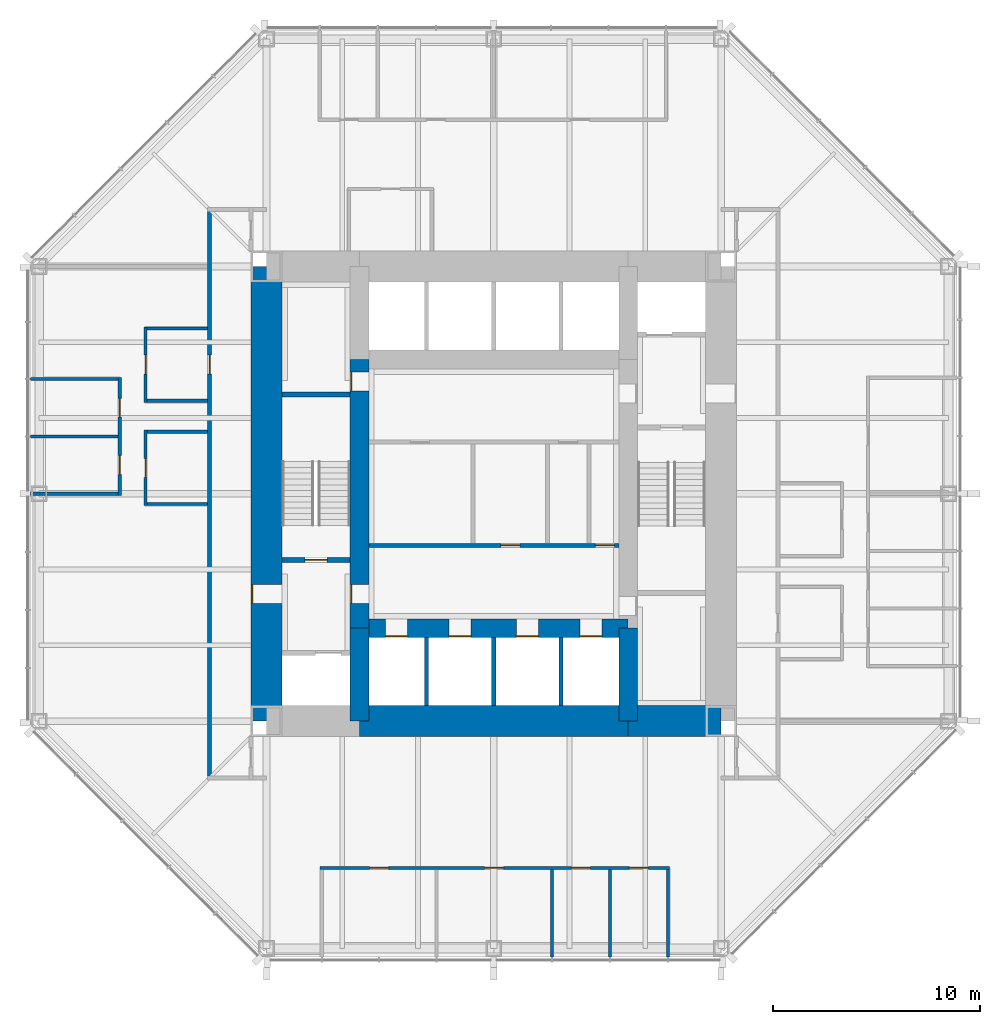
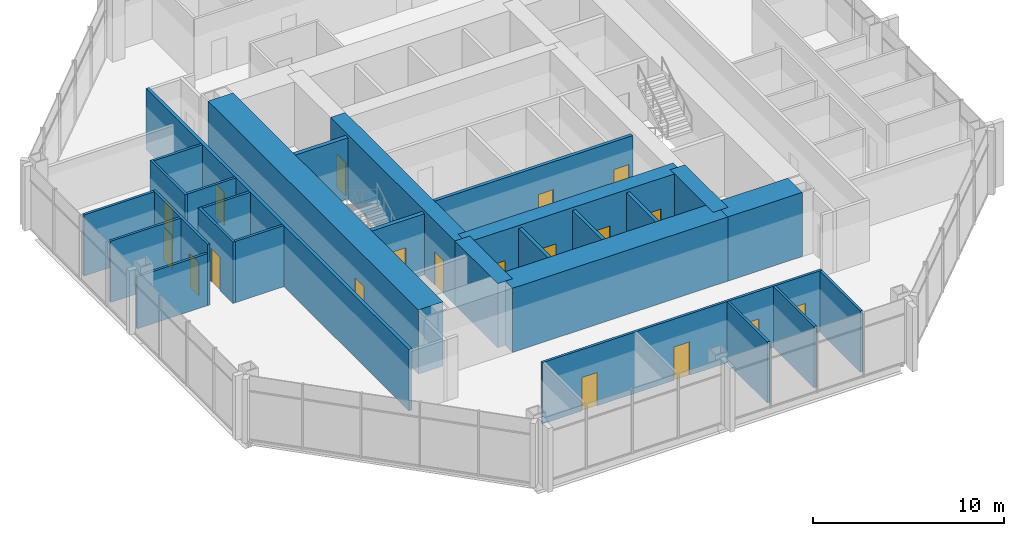
# One storey, part 9 of 12: 28 walls, 19 doors, 19 openings.
"""IFC4 building model written with IfcOpenShell, lengths in metres."""

from ifc_helpers import new_model, si_unit, direction, frame, frame_2d, origin, place, context, subcontext, project, spatial, rectangle, extrude, material, layer, layer_set, type_object, element, fill, save


model = new_model("IFC4")

# Units and contexts
model_context = context("Model", 3, precision=1e-05, world=origin(), true_north=direction((0.0, 1.0)))
body_context = subcontext(model_context, "Body", "Model", "MODEL_VIEW")
ifc_project = project(units=[si_unit("LENGTHUNIT", "METRE"), si_unit("AREAUNIT", "SQUARE_METRE"), si_unit("VOLUMEUNIT", "CUBIC_METRE"), si_unit("PLANEANGLEUNIT", "RADIAN"), si_unit("MASSUNIT", "GRAM", prefix="KILO")], contexts=[model_context])

# Site, building, storey
site_placement = place(None, origin())
site = spatial("IfcSite", under=ifc_project, at=site_placement, CompositionType="ELEMENT")
building_placement = place(site_placement, origin())
building = spatial("IfcBuilding", under=site, at=building_placement, Name="Trevanion Tower", CompositionType="ELEMENT")
storey_placement = place(building_placement, frame((0.0, 0.0, 145.89990234375)))
storey = spatial("IfcBuildingStorey", under=building, at=storey_placement, Name="L34", CompositionType="ELEMENT", Elevation=145.89990234375)

# Wall, opening, door
ifc_material_1 = material(Name="Concrete 10,000 psi", Category="concrete")
ifc_layer_1 = layer(ifc_material_1, 1.5)
ifc_layer_set_1 = layer_set([ifc_layer_1], Name="CW1 core wall 1500")
wall_type_1 = type_object("IfcWallType", Name="CW1 core wall 1500", PredefinedType="SHEAR", material=ifc_layer_set_1)
wall_1_placement = place(storey_placement, frame((-11.0, 11.0, 0.0), z_axis=(0.0, 0.0, 1.0), x_axis=(0.0, -1.0, 0.0)))
wall_1 = element("IfcWall", 1, at=wall_1_placement, inside=storey, type_object=wall_type_1, Name="CW1 CW L34", PredefinedType="SHEAR", context=body_context, shape_type="SweptSolid", body=[
    extrude(rectangle(XDim=22.0, YDim=1.5, at=frame_2d((11.0, 0.0))), origin(), (0.0, 0.0, 1.0), 4.10009765625),
])
opening_1_placement = place(wall_1_placement, frame((15.392578125, 0.0, 0.0)))
opening_1 = element("IfcOpeningElement", 2, at=opening_1_placement, cuts=wall_1, Name="Opening 34-002", PredefinedType="OPENING", context=body_context, shape_type="SweptSolid", body=[
    extrude(rectangle(XDim=0.9150390625, YDim=2.134033203125, at=frame_2d((0.45751953125, 1.06689453125))), frame((0.0, 0.760009765625, 0.0), z_axis=(0.0, -1.0, 0.0), x_axis=(1.0, 0.0, 0.0)), (0.0, 0.0, 1.0), 1.52001953125),
])
ifc_material_2 = material(Name="Hollow metal, fire rated", Category="steel")
door_type_1 = type_object("IfcDoorType", Name="D3 fire lift lobby door", OperationType="SINGLE_SWING_RIGHT", PredefinedType="DOOR", material=ifc_material_2)
door_1_placement = place(opening_1_placement, origin())
door_1 = element("IfcDoor", 3, at=door_1_placement, inside=storey, type_object=door_type_1, Name="Door 34-002", OperationType="SINGLE_SWING_RIGHT", OverallHeight=2.134033203125, OverallWidth=0.9150390625, PredefinedType="DOOR", context=body_context, shape_type="SweptSolid", body=[
    extrude(rectangle(XDim=0.9150390625, YDim=2.134033203125, at=frame_2d((0.45751953125, 1.06689453125))), frame((0.0, -0.6748046875, 0.0), z_axis=(0.0, -1.0, 0.0), x_axis=(1.0, 0.0, 0.0)), (0.0, 0.0, 1.0), 0.050048828125),
])
fill(opening_1, door_1)

# Walls
wall_2_placement = place(storey_placement, frame((-6.5, -11.0, 0.0), z_axis=(0.0, 0.0, 1.0), x_axis=(1.0, 0.0, 0.0)))
element("IfcWall", 4, at=wall_2_placement, inside=storey, type_object=wall_type_1, Name="CW1 CS2 L34", PredefinedType="SHEAR", context=body_context, shape_type="SweptSolid", body=[
    extrude(rectangle(XDim=13.0, YDim=1.5, at=frame_2d((6.5, 0.0))), origin(), (0.0, 0.0, 1.0), 4.10009765625),
])
wall_3_placement = place(storey_placement, frame((6.5, -11.0, 0.0), z_axis=(0.0, 0.0, 1.0), x_axis=(1.0, 0.0, 0.0)))
element("IfcWall", 5, at=wall_3_placement, inside=storey, type_object=wall_type_1, Name="CW1 CS3 L34", PredefinedType="SHEAR", context=body_context, shape_type="SweptSolid", body=[
    extrude(rectangle(XDim=4.5, YDim=1.5, at=frame_2d((2.25, 0.0))), origin(), (0.0, 0.0, 1.0), 4.10009765625),
])
ifc_material_3 = material(Name="Concrete 10,000 psi", Category="concrete")
ifc_layer_2 = layer(ifc_material_3, 0.89990234375)
ifc_layer_set_2 = layer_set([ifc_layer_2], Name="CW2 core wall 900")
wall_type_2 = type_object("IfcWallType", Name="CW2 core wall 900", PredefinedType="SHEAR", material=ifc_layer_set_2)
wall_4_placement = place(storey_placement, frame((6.5, -11.0, 0.0), z_axis=(0.0, 0.0, 1.0), x_axis=(0.0, 1.0, 0.0)))
element("IfcWall", 6, at=wall_4_placement, inside=storey, type_object=wall_type_2, Name="CW2 RE1 L34", PredefinedType="SHEAR", context=body_context, shape_type="SweptSolid", body=[
    extrude(rectangle(XDim=4.5, YDim=0.89990234375, at=frame_2d((2.25, 0.0))), origin(), (0.0, 0.0, 1.0), 4.10009765625),
])

# Wall, openings, doors
wall_5_placement = place(storey_placement, frame((-6.5, 6.5, 0.0), z_axis=(0.0, 0.0, 1.0), x_axis=(0.0, -1.0, 0.0)))
wall_5 = element("IfcWall", 7, at=wall_5_placement, inside=storey, type_object=wall_type_2, Name="CW2 RW2 L34", PredefinedType="SHEAR", context=body_context, shape_type="SweptSolid", body=[
    extrude(rectangle(XDim=13.0, YDim=0.89990234375, at=frame_2d((6.5, 0.0))), origin(), (0.0, 0.0, 1.0), 4.10009765625),
])
opening_2_placement = place(wall_5_placement, frame((10.892578125, 0.0, 0.0)))
opening_2 = element("IfcOpeningElement", 8, at=opening_2_placement, cuts=wall_5, Name="Opening 34-004", PredefinedType="OPENING", context=body_context, shape_type="SweptSolid", body=[
    extrude(rectangle(XDim=0.9150390625, YDim=2.134033203125, at=frame_2d((0.45751953125, 1.06689453125))), frame((0.0, 0.4599609375, 0.0), z_axis=(0.0, -1.0, 0.0), x_axis=(1.0, 0.0, 0.0)), (0.0, 0.0, 1.0), 0.919921875),
])
opening_3_placement = place(wall_5_placement, frame((0.610107421875, 0.0, 0.0)))
opening_3 = element("IfcOpeningElement", 9, at=opening_3_placement, cuts=wall_5, Name="Opening 34-010", PredefinedType="OPENING", context=body_context, shape_type="SweptSolid", body=[
    extrude(rectangle(XDim=0.9150390625, YDim=2.134033203125, at=frame_2d((0.45751953125, 1.06689453125))), frame((0.0, 0.4599609375, 0.0), z_axis=(0.0, -1.0, 0.0), x_axis=(1.0, 0.0, 0.0)), (0.0, 0.0, 1.0), 0.919921875),
])
door_2_placement = place(opening_2_placement, origin())
door_2 = element("IfcDoor", 10, at=door_2_placement, inside=storey, type_object=door_type_1, Name="Door 34-004", OperationType="SINGLE_SWING_RIGHT", OverallHeight=2.134033203125, OverallWidth=0.9150390625, PredefinedType="DOOR", context=body_context, shape_type="SweptSolid", body=[
    extrude(rectangle(XDim=0.9150390625, YDim=2.134033203125, at=frame_2d((0.45751953125, 1.06689453125))), frame((0.0, -0.375, 0.0), z_axis=(0.0, -1.0, 0.0), x_axis=(1.0, 0.0, 0.0)), (0.0, 0.0, 1.0), 0.050048828125),
])
fill(opening_2, door_2)
ifc_material_4 = material(Name="Hollow metal, fire rated", Category="steel")
door_type_2 = type_object("IfcDoorType", Name="D5 service room door", OperationType="SINGLE_SWING_RIGHT", PredefinedType="DOOR", material=ifc_material_4)
door_3_placement = place(opening_3_placement, origin())
door_3 = element("IfcDoor", 11, at=door_3_placement, inside=storey, type_object=door_type_2, Name="Door 34-010", OperationType="SINGLE_SWING_RIGHT", OverallHeight=2.134033203125, OverallWidth=0.9150390625, PredefinedType="DOOR", context=body_context, shape_type="SweptSolid", body=[
    extrude(rectangle(XDim=0.9150390625, YDim=2.134033203125, at=frame_2d((0.45751953125, 1.06689453125))), frame((0.0, -0.375, 0.0), z_axis=(0.0, -1.0, 0.0), x_axis=(1.0, 0.0, 0.0)), (0.0, 0.0, 1.0), 0.050048828125),
])
fill(opening_3, door_3)

# Wall
wall_6_placement = place(storey_placement, frame((-6.5, -6.5, 0.0), z_axis=(0.0, 0.0, 1.0), x_axis=(0.0, -1.0, 0.0)))
element("IfcWall", 12, at=wall_6_placement, inside=storey, type_object=wall_type_2, Name="CW2 RW3 L34", PredefinedType="SHEAR", context=body_context, shape_type="SweptSolid", body=[
    extrude(rectangle(XDim=4.5, YDim=0.89990234375, at=frame_2d((2.25, 0.0))), origin(), (0.0, 0.0, 1.0), 4.10009765625),
])

# Wall, openings, doors
wall_7_placement = place(storey_placement, frame((-6.5, -6.5, 0.0), z_axis=(0.0, 0.0, 1.0), x_axis=(1.0, 0.0, 0.0)))
wall_7 = element("IfcWall", 13, at=wall_7_placement, inside=storey, type_object=wall_type_2, Name="CW2 RS L34", PredefinedType="SHEAR", context=body_context, shape_type="SweptSolid", body=[
    extrude(rectangle(XDim=13.0, YDim=0.89990234375, at=frame_2d((6.5, 0.0))), origin(), (0.0, 0.0, 1.0), 4.10009765625),
])
opening_4_placement = place(wall_7_placement, frame((1.2666015625, 0.0, 0.0)))
opening_4 = element("IfcOpeningElement", 14, at=opening_4_placement, cuts=wall_7, Name="Opening 34-011", PredefinedType="OPENING", context=body_context, shape_type="SweptSolid", body=[
    extrude(rectangle(XDim=1.06689453125, YDim=2.134033203125, at=frame_2d((0.533447265625, 1.06689453125))), frame((0.0, 0.4599609375, 0.0), z_axis=(0.0, -1.0, 0.0), x_axis=(1.0, 0.0, 0.0)), (0.0, 0.0, 1.0), 0.919921875),
])
opening_5_placement = place(wall_7_placement, frame((4.341552734375, 0.0, 0.0)))
opening_5 = element("IfcOpeningElement", 15, at=opening_5_placement, cuts=wall_7, Name="Opening 34-012", PredefinedType="OPENING", context=body_context, shape_type="SweptSolid", body=[
    extrude(rectangle(XDim=1.06689453125, YDim=2.134033203125, at=frame_2d((0.533447265625, 1.06689453125))), frame((0.0, 0.4599609375, 0.0), z_axis=(0.0, -1.0, 0.0), x_axis=(1.0, 0.0, 0.0)), (0.0, 0.0, 1.0), 0.919921875),
])
opening_6_placement = place(wall_7_placement, frame((7.591552734375, 0.0, 0.0)))
opening_6 = element("IfcOpeningElement", 16, at=opening_6_placement, cuts=wall_7, Name="Opening 34-013", PredefinedType="OPENING", context=body_context, shape_type="SweptSolid", body=[
    extrude(rectangle(XDim=1.06689453125, YDim=2.134033203125, at=frame_2d((0.533447265625, 1.06689453125))), frame((0.0, 0.4599609375, 0.0), z_axis=(0.0, -1.0, 0.0), x_axis=(1.0, 0.0, 0.0)), (0.0, 0.0, 1.0), 0.919921875),
])
opening_7_placement = place(wall_7_placement, frame((10.66650390625, 0.0, 0.0)))
opening_7 = element("IfcOpeningElement", 17, at=opening_7_placement, cuts=wall_7, Name="Opening 34-014", PredefinedType="OPENING", context=body_context, shape_type="SweptSolid", body=[
    extrude(rectangle(XDim=1.06689453125, YDim=2.134033203125, at=frame_2d((0.533447265625, 1.06689453125))), frame((0.0, 0.4599609375, 0.0), z_axis=(0.0, -1.0, 0.0), x_axis=(1.0, 0.0, 0.0)), (0.0, 0.0, 1.0), 0.919921875),
])
ifc_material_5 = material(Name="Stainless steel, fire rated", Category="steel")
door_type_3 = type_object("IfcDoorType", Name="LD1 lift landing door", OperationType="SLIDING_TO_LEFT", PredefinedType="DOOR", material=ifc_material_5)
door_4_placement = place(opening_4_placement, origin())
door_4 = element("IfcDoor", 18, at=door_4_placement, inside=storey, type_object=door_type_3, Name="Door 34-011", OperationType="SLIDING_TO_LEFT", OverallHeight=2.134033203125, OverallWidth=1.06689453125, PredefinedType="DOOR", context=body_context, shape_type="SweptSolid", body=[
    extrude(rectangle(XDim=1.06689453125, YDim=2.134033203125, at=frame_2d((0.533447265625, 1.06689453125))), frame((0.0, -0.375, 0.0), z_axis=(0.0, -1.0, 0.0), x_axis=(1.0, 0.0, 0.0)), (0.0, 0.0, 1.0), 0.050048828125),
])
fill(opening_4, door_4)
door_5_placement = place(opening_5_placement, origin())
door_5 = element("IfcDoor", 19, at=door_5_placement, inside=storey, type_object=door_type_3, Name="Door 34-012", OperationType="SLIDING_TO_LEFT", OverallHeight=2.134033203125, OverallWidth=1.06689453125, PredefinedType="DOOR", context=body_context, shape_type="SweptSolid", body=[
    extrude(rectangle(XDim=1.06689453125, YDim=2.134033203125, at=frame_2d((0.533447265625, 1.06689453125))), frame((0.0, -0.375, 0.0), z_axis=(0.0, -1.0, 0.0), x_axis=(1.0, 0.0, 0.0)), (0.0, 0.0, 1.0), 0.050048828125),
])
fill(opening_5, door_5)
door_6_placement = place(opening_6_placement, origin())
door_6 = element("IfcDoor", 20, at=door_6_placement, inside=storey, type_object=door_type_3, Name="Door 34-013", OperationType="SLIDING_TO_LEFT", OverallHeight=2.134033203125, OverallWidth=1.06689453125, PredefinedType="DOOR", context=body_context, shape_type="SweptSolid", body=[
    extrude(rectangle(XDim=1.06689453125, YDim=2.134033203125, at=frame_2d((0.533447265625, 1.06689453125))), frame((0.0, -0.375, 0.0), z_axis=(0.0, -1.0, 0.0), x_axis=(1.0, 0.0, 0.0)), (0.0, 0.0, 1.0), 0.050048828125),
])
fill(opening_6, door_6)
door_7_placement = place(opening_7_placement, origin())
door_7 = element("IfcDoor", 21, at=door_7_placement, inside=storey, type_object=door_type_3, Name="Door 34-014", OperationType="SLIDING_TO_LEFT", OverallHeight=2.134033203125, OverallWidth=1.06689453125, PredefinedType="DOOR", context=body_context, shape_type="SweptSolid", body=[
    extrude(rectangle(XDim=1.06689453125, YDim=2.134033203125, at=frame_2d((0.533447265625, 1.06689453125))), frame((0.0, -0.375, 0.0), z_axis=(0.0, -1.0, 0.0), x_axis=(1.0, 0.0, 0.0)), (0.0, 0.0, 1.0), 0.050048828125),
])
fill(opening_7, door_7)

ifc_material_6 = material(Name="Gypsum board on steel studs", Category="steel")
ifc_layer_3 = layer(ifc_material_6, 0.14990234375)
ifc_layer_set_3 = layer_set([ifc_layer_3], Name="PT1 partition 150")
wall_type_3 = type_object("IfcWallType", Name="PT1 partition 150", PredefinedType="PARTITIONING", material=ifc_layer_set_3)
wall_8_placement = place(storey_placement, frame((-8.39794921875, -18.10009765625, 0.0), z_axis=(0.0, 0.0, 1.0), x_axis=(1.0, 0.0, 0.0)))
wall_8 = element("IfcWall", 22, at=wall_8_placement, inside=storey, type_object=wall_type_3, Name="PT1 L34 FC3F", PredefinedType="PARTITIONING", context=body_context, shape_type="SweptSolid", body=[
    extrude(rectangle(XDim=16.89404296875, YDim=0.14990234375, at=frame_2d((8.447021484375, 0.0))), origin(), (0.0, 0.0, 1.0), 3.91015625),
])
opening_8_placement = place(wall_8_placement, frame((2.3916015625, 0.0, 0.0)))
opening_8 = element("IfcOpeningElement", 23, at=opening_8_placement, cuts=wall_8, Name="Opening 34-026", PredefinedType="OPENING", context=body_context, shape_type="SweptSolid", body=[
    extrude(rectangle(XDim=0.9150390625, YDim=2.134033203125, at=frame_2d((0.45751953125, 1.06689453125))), frame((0.0, 0.0849609375, 0.0), z_axis=(0.0, -1.0, 0.0), x_axis=(1.0, 0.0, 0.0)), (0.0, 0.0, 1.0), 0.169921875),
])
opening_9_placement = place(wall_8_placement, frame((7.95654296875, 0.0, 0.0)))
opening_9 = element("IfcOpeningElement", 24, at=opening_9_placement, cuts=wall_8, Name="Opening 34-027", PredefinedType="OPENING", context=body_context, shape_type="SweptSolid", body=[
    extrude(rectangle(XDim=0.9150390625, YDim=2.134033203125, at=frame_2d((0.45751953125, 1.06689453125))), frame((0.0, 0.0849609375, 0.0), z_axis=(0.0, -1.0, 0.0), x_axis=(1.0, 0.0, 0.0)), (0.0, 0.0, 1.0), 0.169921875),
])
opening_10_placement = place(wall_8_placement, frame((12.15087890625, 0.0, 0.0)))
opening_10 = element("IfcOpeningElement", 25, at=opening_10_placement, cuts=wall_8, Name="Opening 34-028", PredefinedType="OPENING", context=body_context, shape_type="SweptSolid", body=[
    extrude(rectangle(XDim=0.9150390625, YDim=2.134033203125, at=frame_2d((0.45751953125, 1.06689453125))), frame((0.0, 0.0849609375, 0.0), z_axis=(0.0, -1.0, 0.0), x_axis=(1.0, 0.0, 0.0)), (0.0, 0.0, 1.0), 0.169921875),
])
opening_11_placement = place(wall_8_placement, frame((14.9580078125, 0.0, 0.0)))
opening_11 = element("IfcOpeningElement", 26, at=opening_11_placement, cuts=wall_8, Name="Opening 34-029", PredefinedType="OPENING", context=body_context, shape_type="SweptSolid", body=[
    extrude(rectangle(XDim=0.9150390625, YDim=2.134033203125, at=frame_2d((0.45751953125, 1.06689453125))), frame((0.0, 0.0849609375, 0.0), z_axis=(0.0, -1.0, 0.0), x_axis=(1.0, 0.0, 0.0)), (0.0, 0.0, 1.0), 0.169921875),
])
ifc_material_7 = material(Name="Timber veneer, solid core", Category="wood")
door_type_4 = type_object("IfcDoorType", Name="D1 office and meeting room door", OperationType="SINGLE_SWING_LEFT", PredefinedType="DOOR", material=ifc_material_7)
door_8_placement = place(opening_8_placement, origin())
door_8 = element("IfcDoor", 27, at=door_8_placement, inside=storey, type_object=door_type_4, Name="Door 34-026", OperationType="SINGLE_SWING_LEFT", OverallHeight=2.134033203125, OverallWidth=0.9150390625, PredefinedType="DOOR", context=body_context, shape_type="SweptSolid", body=[
    extrude(rectangle(XDim=0.9150390625, YDim=2.134033203125, at=frame_2d((0.45751953125, 1.06689453125))), frame((0.0, 0.02490234375, 0.0), z_axis=(0.0, -1.0, 0.0), x_axis=(1.0, 0.0, 0.0)), (0.0, 0.0, 1.0), 0.050048828125),
])
fill(opening_8, door_8)
door_9_placement = place(opening_9_placement, origin())
door_9 = element("IfcDoor", 28, at=door_9_placement, inside=storey, type_object=door_type_4, Name="Door 34-027", OperationType="SINGLE_SWING_LEFT", OverallHeight=2.134033203125, OverallWidth=0.9150390625, PredefinedType="DOOR", context=body_context, shape_type="SweptSolid", body=[
    extrude(rectangle(XDim=0.9150390625, YDim=2.134033203125, at=frame_2d((0.45751953125, 1.06689453125))), frame((0.0, 0.02490234375, 0.0), z_axis=(0.0, -1.0, 0.0), x_axis=(1.0, 0.0, 0.0)), (0.0, 0.0, 1.0), 0.050048828125),
])
fill(opening_9, door_9)
door_10_placement = place(opening_10_placement, origin())
door_10 = element("IfcDoor", 29, at=door_10_placement, inside=storey, type_object=door_type_4, Name="Door 34-028", OperationType="SINGLE_SWING_LEFT", OverallHeight=2.134033203125, OverallWidth=0.9150390625, PredefinedType="DOOR", context=body_context, shape_type="SweptSolid", body=[
    extrude(rectangle(XDim=0.9150390625, YDim=2.134033203125, at=frame_2d((0.45751953125, 1.06689453125))), frame((0.0, 0.02490234375, 0.0), z_axis=(0.0, -1.0, 0.0), x_axis=(1.0, 0.0, 0.0)), (0.0, 0.0, 1.0), 0.050048828125),
])
fill(opening_10, door_10)
door_11_placement = place(opening_11_placement, origin())
door_11 = element("IfcDoor", 30, at=door_11_placement, inside=storey, type_object=door_type_4, Name="Door 34-029", OperationType="SINGLE_SWING_LEFT", OverallHeight=2.134033203125, OverallWidth=0.9150390625, PredefinedType="DOOR", context=body_context, shape_type="SweptSolid", body=[
    extrude(rectangle(XDim=0.9150390625, YDim=2.134033203125, at=frame_2d((0.45751953125, 1.06689453125))), frame((0.0, 0.02490234375, 0.0), z_axis=(0.0, -1.0, 0.0), x_axis=(1.0, 0.0, 0.0)), (0.0, 0.0, 1.0), 0.050048828125),
])
fill(opening_11, door_11)

# Walls
for number, where, z_axis, x_axis, name in (
    (31, (2.806884765625, -18.175048828125, 0.0), (0.0, 0.0, 1.0), (0.0, -1.0, 0.0), "PT1 L34 FC3S4"),
    (32, (5.614013671875, -18.175048828125, 0.0), (0.0, 0.0, 1.0), (0.0, -1.0, 0.0), "PT1 L34 FC3S5"),
    (33, (8.4208984375, -18.175048828125, 0.0), (0.0, 0.0, 1.0), (0.0, -1.0, 0.0), "PT1 L34 FC3S6"),
):
    element("IfcWall", number, at=place(storey_placement, frame(where, z_axis=z_axis, x_axis=x_axis)), inside=storey, type_object=wall_type_3, Name=name, PredefinedType="PARTITIONING", context=body_context, shape_type="SweptSolid", body=[
        extrude(rectangle(XDim=4.239990234375, YDim=0.14990234375, at=frame_2d((2.1201171875, 0.0))), origin(), (0.0, 0.0, 1.0), 3.91015625),
    ])

# Wall, openings, doors
wall_9_placement = place(storey_placement, frame((-18.10009765625, 5.6240234375, 0.0), z_axis=(0.0, 0.0, 1.0), x_axis=(0.0, -1.0, 0.0)))
wall_9 = element("IfcWall", 34, at=wall_9_placement, inside=storey, type_object=wall_type_3, Name="PT1 L34 FC2F", PredefinedType="PARTITIONING", context=body_context, shape_type="SweptSolid", body=[
    extrude(rectangle(XDim=5.698974609375, YDim=0.14990234375, at=frame_2d((2.849609375, 0.0))), origin(), (0.0, 0.0, 1.0), 3.91015625),
])
opening_12_placement = place(wall_9_placement, frame((1.00439453125, 0.0, 0.0)))
opening_12 = element("IfcOpeningElement", 35, at=opening_12_placement, cuts=wall_9, Name="Opening 34-034", PredefinedType="OPENING", context=body_context, shape_type="SweptSolid", body=[
    extrude(rectangle(XDim=0.9150390625, YDim=2.134033203125, at=frame_2d((0.45751953125, 1.06689453125))), frame((0.0, 0.0849609375, 0.0), z_axis=(0.0, -1.0, 0.0), x_axis=(1.0, 0.0, 0.0)), (0.0, 0.0, 1.0), 0.169921875),
])
opening_13_placement = place(wall_9_placement, frame((3.779052734375, 0.0, 0.0)))
opening_13 = element("IfcOpeningElement", 36, at=opening_13_placement, cuts=wall_9, Name="Opening 34-035", PredefinedType="OPENING", context=body_context, shape_type="SweptSolid", body=[
    extrude(rectangle(XDim=0.9150390625, YDim=2.134033203125, at=frame_2d((0.45751953125, 1.06689453125))), frame((0.0, 0.0849609375, 0.0), z_axis=(0.0, -1.0, 0.0), x_axis=(1.0, 0.0, 0.0)), (0.0, 0.0, 1.0), 0.169921875),
])
door_12_placement = place(opening_12_placement, origin())
door_12 = element("IfcDoor", 37, at=door_12_placement, inside=storey, type_object=door_type_4, Name="Door 34-034", OperationType="SINGLE_SWING_LEFT", OverallHeight=2.134033203125, OverallWidth=0.9150390625, PredefinedType="DOOR", context=body_context, shape_type="SweptSolid", body=[
    extrude(rectangle(XDim=0.9150390625, YDim=2.134033203125, at=frame_2d((0.45751953125, 1.06689453125))), frame((0.0, 0.02490234375, 0.0), z_axis=(0.0, -1.0, 0.0), x_axis=(1.0, 0.0, 0.0)), (0.0, 0.0, 1.0), 0.050048828125),
])
fill(opening_12, door_12)
door_13_placement = place(opening_13_placement, origin())
door_13 = element("IfcDoor", 38, at=door_13_placement, inside=storey, type_object=door_type_4, Name="Door 34-035", OperationType="SINGLE_SWING_LEFT", OverallHeight=2.134033203125, OverallWidth=0.9150390625, PredefinedType="DOOR", context=body_context, shape_type="SweptSolid", body=[
    extrude(rectangle(XDim=0.9150390625, YDim=2.134033203125, at=frame_2d((0.45751953125, 1.06689453125))), frame((0.0, 0.02490234375, 0.0), z_axis=(0.0, -1.0, 0.0), x_axis=(1.0, 0.0, 0.0)), (0.0, 0.0, 1.0), 0.050048828125),
])
fill(opening_13, door_13)

# Walls
for number, where, z_axis, x_axis, name in (
    (39, (-18.175048828125, 5.549072265625, 0.0), (0.0, 0.0, 1.0), (-1.0, 0.0, 0.0), "PT1 L34 FC2S0"),
    (40, (-18.175048828125, 2.77490234375, 0.0), (0.0, 0.0, 1.0), (-1.0, 0.0, 0.0), "PT1 L34 FC2S1"),
):
    element("IfcWall", number, at=place(storey_placement, frame(where, z_axis=z_axis, x_axis=x_axis)), inside=storey, type_object=wall_type_3, Name=name, PredefinedType="PARTITIONING", context=body_context, shape_type="SweptSolid", body=[
        extrude(rectangle(XDim=4.239990234375, YDim=0.14990234375, at=frame_2d((2.1201171875, 0.0))), origin(), (0.0, 0.0, 1.0), 3.91015625),
    ])
wall_10_placement = place(storey_placement, frame((-18.175048828125, 0.0, 0.0), z_axis=(0.0, 0.0, 1.0), x_axis=(-1.0, 0.0, 0.0)))
element("IfcWall", 41, at=wall_10_placement, inside=storey, type_object=wall_type_3, Name="PT1 L34 FC2S2", PredefinedType="PARTITIONING", context=body_context, shape_type="SweptSolid", body=[
    extrude(rectangle(XDim=4.239990234375, YDim=0.14990234375, at=frame_2d((2.1201171875, 0.0))), origin(), (0.0, 0.0, 1.0), 3.325927734375),
])

# Wall, opening, door
wall_11_placement = place(storey_placement, frame((-16.85009765625, 8.074951171875, 0.0), z_axis=(0.0, 0.0, 1.0), x_axis=(0.0, -1.0, 0.0)))
wall_11 = element("IfcWall", 42, at=wall_11_placement, inside=storey, type_object=wall_type_3, Name="PT1 L34 IN20F", PredefinedType="PARTITIONING", context=body_context, shape_type="SweptSolid", body=[
    extrude(rectangle(XDim=3.64990234375, YDim=0.14990234375, at=frame_2d((1.824951171875, 0.0))), origin(), (0.0, 0.0, 1.0), 3.91015625),
])
opening_14_placement = place(wall_11_placement, frame((1.367431640625, 0.0, 0.0)))
opening_14 = element("IfcOpeningElement", 43, at=opening_14_placement, cuts=wall_11, Name="Opening 34-039", PredefinedType="OPENING", context=body_context, shape_type="SweptSolid", body=[
    extrude(rectangle(XDim=0.9150390625, YDim=2.134033203125, at=frame_2d((0.45751953125, 1.06689453125))), frame((0.0, 0.0849609375, 0.0), z_axis=(0.0, -1.0, 0.0), x_axis=(1.0, 0.0, 0.0)), (0.0, 0.0, 1.0), 0.169921875),
])
door_14_placement = place(opening_14_placement, origin())
door_14 = element("IfcDoor", 44, at=door_14_placement, inside=storey, type_object=door_type_4, Name="Door 34-039", OperationType="SINGLE_SWING_LEFT", OverallHeight=2.134033203125, OverallWidth=0.9150390625, PredefinedType="DOOR", context=body_context, shape_type="SweptSolid", body=[
    extrude(rectangle(XDim=0.9150390625, YDim=2.134033203125, at=frame_2d((0.45751953125, 1.06689453125))), frame((0.0, 0.02490234375, 0.0), z_axis=(0.0, -1.0, 0.0), x_axis=(1.0, 0.0, 0.0)), (0.0, 0.0, 1.0), 0.050048828125),
])
fill(opening_14, door_14)

# Walls
for number, where, z_axis, x_axis, name in (
    (45, (-16.77490234375, 8.0, 0.0), (0.0, 0.0, 1.0), (1.0, 0.0, 0.0), "PT1 L34 IN20S0"),
    (46, (-16.77490234375, 4.5, 0.0), (0.0, 0.0, 1.0), (1.0, 0.0, 0.0), "PT1 L34 IN20S1"),
):
    element("IfcWall", number, at=place(storey_placement, frame(where, z_axis=z_axis, x_axis=x_axis)), inside=storey, type_object=wall_type_3, Name=name, PredefinedType="PARTITIONING", context=body_context, shape_type="SweptSolid", body=[
        extrude(rectangle(XDim=2.9248046875, YDim=0.14990234375, at=frame_2d((1.46240234375, 0.0))), origin(), (0.0, 0.0, 1.0), 3.91015625),
    ])

# Wall, opening, door
wall_12_placement = place(storey_placement, frame((-16.85009765625, 3.074951171875, 0.0), z_axis=(0.0, 0.0, 1.0), x_axis=(0.0, -1.0, 0.0)))
wall_12 = element("IfcWall", 47, at=wall_12_placement, inside=storey, type_object=wall_type_3, Name="PT1 L34 IN21F", PredefinedType="PARTITIONING", context=body_context, shape_type="SweptSolid", body=[
    extrude(rectangle(XDim=3.64990234375, YDim=0.14990234375, at=frame_2d((1.824951171875, 0.0))), origin(), (0.0, 0.0, 1.0), 3.91015625),
])
opening_15_placement = place(wall_12_placement, frame((1.367431640625, 0.0, 0.0)))
opening_15 = element("IfcOpeningElement", 48, at=opening_15_placement, cuts=wall_12, Name="Opening 34-041", PredefinedType="OPENING", context=body_context, shape_type="SweptSolid", body=[
    extrude(rectangle(XDim=0.9150390625, YDim=2.134033203125, at=frame_2d((0.45751953125, 1.06689453125))), frame((0.0, 0.0849609375, 0.0), z_axis=(0.0, -1.0, 0.0), x_axis=(1.0, 0.0, 0.0)), (0.0, 0.0, 1.0), 0.169921875),
])
door_15_placement = place(opening_15_placement, origin())
door_15 = element("IfcDoor", 49, at=door_15_placement, inside=storey, type_object=door_type_4, Name="Door 34-041", OperationType="SINGLE_SWING_LEFT", OverallHeight=2.134033203125, OverallWidth=0.9150390625, PredefinedType="DOOR", context=body_context, shape_type="SweptSolid", body=[
    extrude(rectangle(XDim=0.9150390625, YDim=2.134033203125, at=frame_2d((0.45751953125, 1.06689453125))), frame((0.0, 0.02490234375, 0.0), z_axis=(0.0, -1.0, 0.0), x_axis=(1.0, 0.0, 0.0)), (0.0, 0.0, 1.0), 0.050048828125),
])
fill(opening_15, door_15)

# Walls
for number, where, z_axis, x_axis, name in (
    (50, (-16.77490234375, 3.0, 0.0), (0.0, 0.0, 1.0), (1.0, 0.0, 0.0), "PT1 L34 IN21S0"),
    (51, (-16.77490234375, -0.5, 0.0), (0.0, 0.0, 1.0), (1.0, 0.0, 0.0), "PT1 L34 IN21S1"),
):
    element("IfcWall", number, at=place(storey_placement, frame(where, z_axis=z_axis, x_axis=x_axis)), inside=storey, type_object=wall_type_3, Name=name, PredefinedType="PARTITIONING", context=body_context, shape_type="SweptSolid", body=[
        extrude(rectangle(XDim=2.9248046875, YDim=0.14990234375, at=frame_2d((1.46240234375, 0.0))), origin(), (0.0, 0.0, 1.0), 3.91015625),
    ])

# Wall, openings, doors
ifc_material_8 = material(Name="Concrete masonry, grouted", Category="masonry")
ifc_layer_4 = layer(ifc_material_8, 0.199951171875)
ifc_layer_set_4 = layer_set([ifc_layer_4], Name="PT2 partition 200 1 HR")
wall_type_4 = type_object("IfcWallType", Name="PT2 partition 200 1 HR", PredefinedType="PARTITIONING", material=ifc_layer_set_4)
wall_13_placement = place(storey_placement, frame((6.050048828125, -2.5, 0.0), z_axis=(0.0, 0.0, 1.0), x_axis=(-1.0, 0.0, 0.0)))
wall_13 = element("IfcWall", 52, at=wall_13_placement, inside=storey, type_object=wall_type_4, Name="PT2 L34 CP2", PredefinedType="PARTITIONING", context=body_context, shape_type="SweptSolid", body=[
    extrude(rectangle(XDim=12.10009765625, YDim=0.199951171875, at=frame_2d((6.050048828125, 0.0))), origin(), (0.0, 0.0, 1.0), 3.91015625),
])
opening_16_placement = place(wall_13_placement, frame((4.79248046875, 0.0, 0.0)))
opening_16 = element("IfcOpeningElement", 53, at=opening_16_placement, cuts=wall_13, Name="Opening 34-016", PredefinedType="OPENING", context=body_context, shape_type="SweptSolid", body=[
    extrude(rectangle(XDim=0.9150390625, YDim=2.134033203125, at=frame_2d((0.45751953125, 1.06689453125))), frame((0.0, 0.10986328125, 0.0), z_axis=(0.0, -1.0, 0.0), x_axis=(1.0, 0.0, 0.0)), (0.0, 0.0, 1.0), 0.219970703125),
])
opening_17_placement = place(wall_13_placement, frame((0.217529296875, 0.0, 0.0)))
opening_17 = element("IfcOpeningElement", 54, at=opening_17_placement, cuts=wall_13, Name="Opening 34-018", PredefinedType="OPENING", context=body_context, shape_type="SweptSolid", body=[
    extrude(rectangle(XDim=0.9150390625, YDim=2.134033203125, at=frame_2d((0.45751953125, 1.06689453125))), frame((0.0, 0.10986328125, 0.0), z_axis=(0.0, -1.0, 0.0), x_axis=(1.0, 0.0, 0.0)), (0.0, 0.0, 1.0), 0.219970703125),
])
ifc_material_9 = material(Name="Plastic laminate on fire-rated core", Category="wood")
door_type_5 = type_object("IfcDoorType", Name="D12 toilet door in a one hour wall", OperationType="SINGLE_SWING_LEFT", PredefinedType="DOOR", material=ifc_material_9)
door_16_placement = place(opening_16_placement, origin())
door_16 = element("IfcDoor", 55, at=door_16_placement, inside=storey, type_object=door_type_5, Name="Door 34-016", OperationType="SINGLE_SWING_LEFT", OverallHeight=2.134033203125, OverallWidth=0.9150390625, PredefinedType="DOOR", context=body_context, shape_type="SweptSolid", body=[
    extrude(rectangle(XDim=0.9150390625, YDim=2.134033203125, at=frame_2d((0.45751953125, 1.06689453125))), frame((0.0, 0.02490234375, 0.0), z_axis=(0.0, -1.0, 0.0), x_axis=(1.0, 0.0, 0.0)), (0.0, 0.0, 1.0), 0.050048828125),
])
fill(opening_16, door_16)
door_17_placement = place(opening_17_placement, origin())
door_17 = element("IfcDoor", 56, at=door_17_placement, inside=storey, type_object=door_type_5, Name="Door 34-018", OperationType="SINGLE_SWING_LEFT", OverallHeight=2.134033203125, OverallWidth=0.9150390625, PredefinedType="DOOR", context=body_context, shape_type="SweptSolid", body=[
    extrude(rectangle(XDim=0.9150390625, YDim=2.134033203125, at=frame_2d((0.45751953125, 1.06689453125))), frame((0.0, 0.02490234375, 0.0), z_axis=(0.0, -1.0, 0.0), x_axis=(1.0, 0.0, 0.0)), (0.0, 0.0, 1.0), 0.050048828125),
])
fill(opening_17, door_17)

# Wall, opening, door
wall_14_placement = place(storey_placement, frame((-13.75, 13.85009765625, 0.0), z_axis=(0.0, 0.0, 1.0), x_axis=(0.0, -1.0, 0.0)))
wall_14 = element("IfcWall", 57, at=wall_14_placement, inside=storey, type_object=wall_type_4, Name="PT2 L34 OC2", PredefinedType="PARTITIONING", context=body_context, shape_type="SweptSolid", body=[
    extrude(rectangle(XDim=27.5, YDim=0.199951171875, at=frame_2d((13.75, 0.0))), origin(), (0.0, 0.0, 1.0), 3.91015625),
])
opening_18_placement = place(wall_14_placement, frame((7.142578125, 0.0, 0.0)))
opening_18 = element("IfcOpeningElement", 58, at=opening_18_placement, cuts=wall_14, Name="Opening 34-040", PredefinedType="OPENING", context=body_context, shape_type="SweptSolid", body=[
    extrude(rectangle(XDim=0.9150390625, YDim=2.134033203125, at=frame_2d((0.45751953125, 1.06689453125))), frame((0.0, 0.10986328125, 0.0), z_axis=(0.0, -1.0, 0.0), x_axis=(1.0, 0.0, 0.0)), (0.0, 0.0, 1.0), 0.219970703125),
])
ifc_material_10 = material(Name="Timber veneer, fire rated", Category="wood")
door_type_6 = type_object("IfcDoorType", Name="D10 office door in a one hour wall", OperationType="SINGLE_SWING_LEFT", PredefinedType="DOOR", material=ifc_material_10)
door_18_placement = place(opening_18_placement, origin())
door_18 = element("IfcDoor", 59, at=door_18_placement, inside=storey, type_object=door_type_6, Name="Door 34-040", OperationType="SINGLE_SWING_LEFT", OverallHeight=2.134033203125, OverallWidth=0.9150390625, PredefinedType="DOOR", context=body_context, shape_type="SweptSolid", body=[
    extrude(rectangle(XDim=0.9150390625, YDim=2.134033203125, at=frame_2d((0.45751953125, 1.06689453125))), frame((0.0, 0.02490234375, 0.0), z_axis=(0.0, -1.0, 0.0), x_axis=(1.0, 0.0, 0.0)), (0.0, 0.0, 1.0), 0.050048828125),
])
fill(opening_18, door_18)

# Walls
ifc_material_11 = material(Name="Concrete masonry, grouted", Category="masonry")
ifc_layer_5 = layer(ifc_material_11, 0.199951171875)
ifc_layer_set_5 = layer_set([ifc_layer_5], Name="PT2 partition 200 2 HR")
wall_type_5 = type_object("IfcWallType", Name="PT2 partition 200 2 HR", PredefinedType="PARTITIONING", material=ifc_layer_set_5)
for number, where, z_axis, x_axis, name in (
    (60, (-3.25, -10.25, 0.0), (0.0, 0.0, 1.0), (0.0, 1.0, 0.0), "PT2 L34 SS0"),
    (61, (0.0, -10.25, 0.0), (0.0, 0.0, 1.0), (0.0, 1.0, 0.0), "PT2 L34 SS1"),
    (62, (3.25, -10.25, 0.0), (0.0, 0.0, 1.0), (0.0, 1.0, 0.0), "PT2 L34 SS2"),
):
    element("IfcWall", number, at=place(storey_placement, frame(where, z_axis=z_axis, x_axis=x_axis)), inside=storey, type_object=wall_type_5, Name=name, PredefinedType="PARTITIONING", context=body_context, shape_type="SweptSolid", body=[
        extrude(rectangle(XDim=3.300048828125, YDim=0.199951171875, at=frame_2d((1.64990234375, 0.0))), origin(), (0.0, 0.0, 1.0), 3.91015625),
    ])
ifc_material_12 = material(Name="Reinforced masonry, fully grouted", Category="masonry")
ifc_layer_6 = layer(ifc_material_12, 0.25)
ifc_layer_set_6 = layer_set([ifc_layer_6], Name="SW1 stair shaft wall 250")
wall_type_6 = type_object("IfcWallType", Name="SW1 stair shaft wall 250", PredefinedType="SOLIDWALL", material=ifc_layer_set_6)
wall_15_placement = place(storey_placement, frame((-6.949951171875, 4.800048828125, 0.0), z_axis=(0.0, 0.0, 1.0), x_axis=(-1.0, 0.0, 0.0)))
element("IfcWall", 63, at=wall_15_placement, inside=storey, type_object=wall_type_6, Name="SW1 L34 WP1", PredefinedType="SOLIDWALL", context=body_context, shape_type="SweptSolid", body=[
    extrude(rectangle(XDim=3.300048828125, YDim=0.25, at=frame_2d((1.64990234375, 0.0))), origin(), (0.0, 0.0, 1.0), 3.91015625),
])

# Wall, opening, door
wall_16_placement = place(storey_placement, frame((-6.949951171875, -3.199951171875, 0.0), z_axis=(0.0, 0.0, 1.0), x_axis=(-1.0, 0.0, 0.0)))
wall_16 = element("IfcWall", 64, at=wall_16_placement, inside=storey, type_object=wall_type_6, Name="SW1 L34 WP2", PredefinedType="SOLIDWALL", context=body_context, shape_type="SweptSolid", body=[
    extrude(rectangle(XDim=3.300048828125, YDim=0.25, at=frame_2d((1.64990234375, 0.0))), origin(), (0.0, 0.0, 1.0), 3.91015625),
])
opening_19_placement = place(wall_16_placement, frame((1.116455078125, 0.0, 0.0)))
opening_19 = element("IfcOpeningElement", 65, at=opening_19_placement, cuts=wall_16, Name="Opening 34-006", PredefinedType="OPENING", context=body_context, shape_type="SweptSolid", body=[
    extrude(rectangle(XDim=1.06689453125, YDim=2.134033203125, at=frame_2d((0.533447265625, 1.06689453125))), frame((0.0, 0.135009765625, 0.0), z_axis=(0.0, -1.0, 0.0), x_axis=(1.0, 0.0, 0.0)), (0.0, 0.0, 1.0), 0.27001953125),
])
ifc_material_13 = material(Name="Hollow metal, fire rated", Category="steel")
door_type_7 = type_object("IfcDoorType", Name="D2 exit stair door", OperationType="SINGLE_SWING_LEFT", PredefinedType="DOOR", material=ifc_material_13)
door_19_placement = place(opening_19_placement, origin())
door_19 = element("IfcDoor", 66, at=door_19_placement, inside=storey, type_object=door_type_7, Name="Door 34-006", OperationType="SINGLE_SWING_LEFT", OverallHeight=2.134033203125, OverallWidth=1.06689453125, PredefinedType="DOOR", context=body_context, shape_type="SweptSolid", body=[
    extrude(rectangle(XDim=1.06689453125, YDim=2.134033203125, at=frame_2d((0.533447265625, 1.06689453125))), frame((0.0, 0.02490234375, 0.0), z_axis=(0.0, -1.0, 0.0), x_axis=(1.0, 0.0, 0.0)), (0.0, 0.0, 1.0), 0.050048828125),
])
fill(opening_19, door_19)

save(model, "model.ifc")
